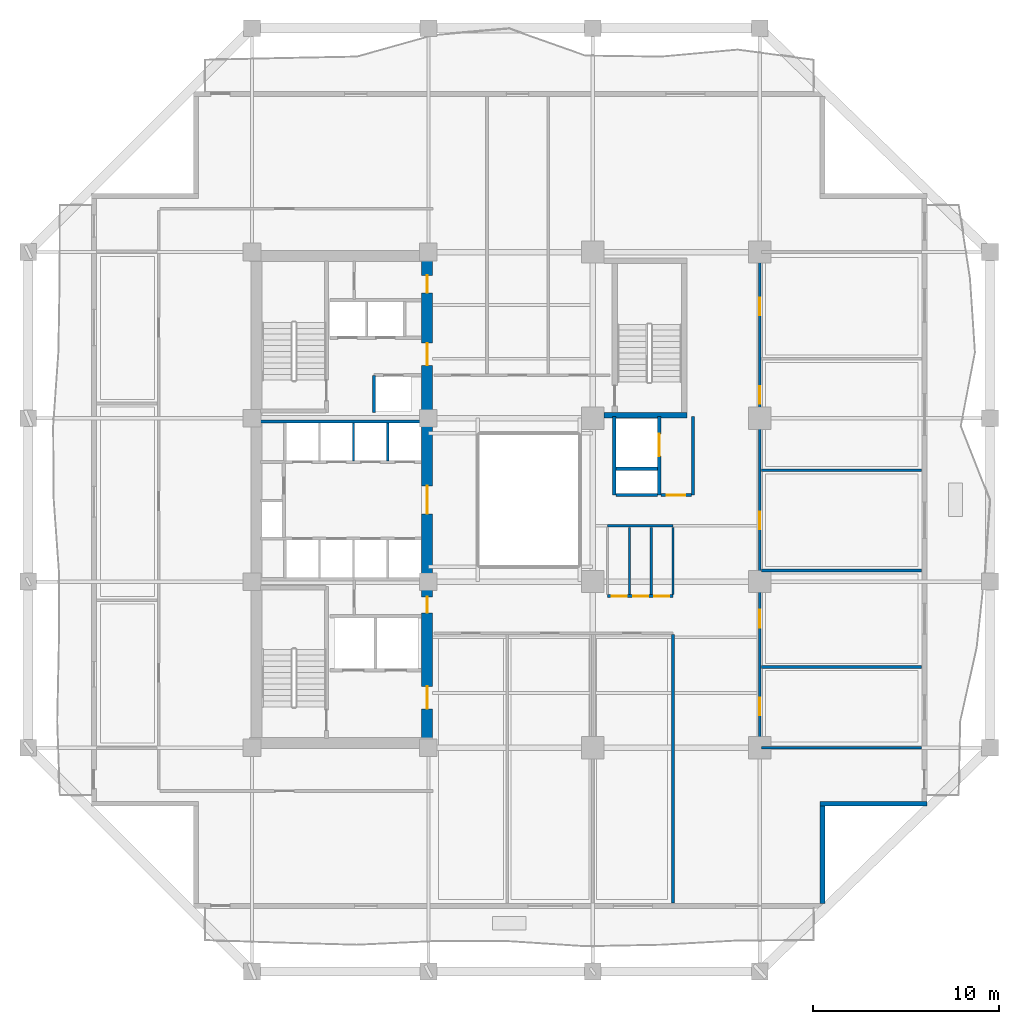
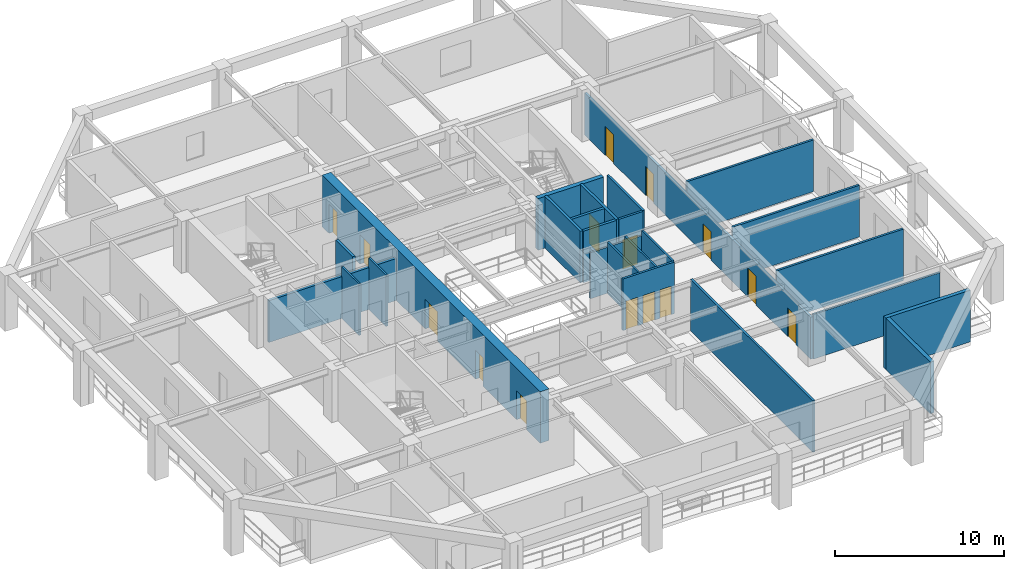
# One storey, part 4 of 13: 25 walls, 15 doors, 15 openings.
"""IFC4 building model written with IfcOpenShell, lengths in metres."""

from ifc_helpers import new_model, si_unit, direction, frame, frame_2d, origin, place, context, subcontext, project, spatial, rectangle, extrude, material, layer, layer_set, type_object, element, fill, save


model = new_model("IFC4")

# Units and contexts
model_context = context("Model", 3, precision=1e-05, world=origin(), true_north=direction((0.0, 1.0)))
body_context = subcontext(model_context, "Body", "Model", "MODEL_VIEW")
ifc_project = project(units=[si_unit("LENGTHUNIT", "METRE"), si_unit("AREAUNIT", "SQUARE_METRE"), si_unit("VOLUMEUNIT", "CUBIC_METRE"), si_unit("PLANEANGLEUNIT", "RADIAN"), si_unit("MASSUNIT", "GRAM", prefix="KILO")], contexts=[model_context])

# Site, building, storey
site_placement = place(None, origin())
site = spatial("IfcSite", under=ifc_project, at=site_placement, CompositionType="ELEMENT")
building_placement = place(site_placement, origin())
building = spatial("IfcBuilding", under=site, at=building_placement, Name="Kundavana Baori Tower", CompositionType="ELEMENT")
storey_placement = place(building_placement, frame((0.0, 0.0, 50.0)))
storey = spatial("IfcBuildingStorey", under=building, at=storey_placement, Name="L11", CompositionType="ELEMENT", Elevation=50.0)

# Wall, openings, doors
ifc_material_1 = material(Name="Concrete C60/75", Category="concrete")
ifc_layer_1 = layer(ifc_material_1, 0.60009765625, Name="WL-CORE-600")
ifc_layer_set_1 = layer_set([ifc_layer_1], Name="Concrete C60/75")
wall_type_1 = type_object("IfcWallType", Name="WL-CORE-600", PredefinedType="SHEAR", material=ifc_layer_set_1)
wall_1_placement = place(storey_placement, frame((24.8798828125, 15.739990234375, 0.0), z_axis=(0.0, 0.0, 1.0), x_axis=(0.0, 1.0, 0.0)))
wall_1 = element("IfcWall", 1, at=wall_1_placement, inside=storey, type_object=wall_type_1, Name="L11 Offset Core East Shear Wall", PredefinedType="SHEAR", context=body_context, shape_type="SweptSolid", body=[
    extrude(rectangle(XDim=25.760009765625, YDim=0.60009765625, at=frame_2d((12.8798828125, 0.0))), origin(), (0.0, 0.0, 1.0), 3.719970703125),
])
opening_1_placement = place(wall_1_placement, frame((1.610107421875, 0.0, 0.0)))
opening_1 = element("IfcOpeningElement", 2, at=opening_1_placement, cuts=wall_1, Name="Opening FD-120", PredefinedType="OPENING", context=body_context, shape_type="SweptSolid", body=[
    extrude(rectangle(XDim=1.199951171875, YDim=2.10009765625, at=frame_2d((0.60009765625, 1.050048828125))), frame((0.0, 0.31005859375, 0.0), z_axis=(0.0, -1.0, 0.0), x_axis=(1.0, 0.0, 0.0)), (0.0, 0.0, 1.0), 0.6201171875),
])
opening_2_placement = place(wall_1_placement, frame((6.780029296875, 0.0, 0.0)))
opening_2 = element("IfcOpeningElement", 3, at=opening_2_placement, cuts=wall_1, Name="Opening FD-085", PredefinedType="OPENING", context=body_context, shape_type="SweptSolid", body=[
    extrude(rectangle(XDim=0.85009765625, YDim=2.06005859375, at=frame_2d((0.425048828125, 1.030029296875))), frame((0.0, 0.31005859375, 0.0), z_axis=(0.0, -1.0, 0.0), x_axis=(1.0, 0.0, 0.0)), (0.0, 0.0, 1.0), 0.6201171875),
])
opening_3_placement = place(wall_1_placement, frame((12.110107421875, 0.0, 0.0)))
opening_3 = element("IfcOpeningElement", 4, at=opening_3_placement, cuts=wall_1, Name="Opening FD-150", PredefinedType="OPENING", context=body_context, shape_type="SweptSolid", body=[
    extrude(rectangle(XDim=1.5, YDim=2.1201171875, at=frame_2d((0.75, 1.06005859375))), frame((0.0, 0.31005859375, 0.0), z_axis=(0.0, -1.0, 0.0), x_axis=(1.0, 0.0, 0.0)), (0.0, 0.0, 1.0), 0.6201171875),
])
opening_4_placement = place(wall_1_placement, frame((20.110107421875, 0.0, 0.0)))
opening_4 = element("IfcOpeningElement", 5, at=opening_4_placement, cuts=wall_1, Name="Opening FD-122", PredefinedType="OPENING", context=body_context, shape_type="SweptSolid", body=[
    extrude(rectangle(XDim=1.199951171875, YDim=2.1201171875, at=frame_2d((0.60009765625, 1.06005859375))), frame((0.0, 0.31005859375, 0.0), z_axis=(0.0, -1.0, 0.0), x_axis=(1.0, 0.0, 0.0)), (0.0, 0.0, 1.0), 0.6201171875),
])
opening_5_placement = place(wall_1_placement, frame((24.010009765625, 0.0, 0.0)))
opening_5 = element("IfcOpeningElement", 6, at=opening_5_placement, cuts=wall_1, Name="Opening FD-095", PredefinedType="OPENING", context=body_context, shape_type="SweptSolid", body=[
    extrude(rectangle(XDim=0.949951171875, YDim=2.10009765625, at=frame_2d((0.47509765625, 1.050048828125))), frame((0.0, 0.31005859375, 0.0), z_axis=(0.0, -1.0, 0.0), x_axis=(1.0, 0.0, 0.0)), (0.0, 0.0, 1.0), 0.6201171875),
])
ifc_material_2 = material(Name="Galvanised Steel Fire-Rated Door Leaf", Category="steel")
door_type_1 = type_object("IfcDoorType", Name="DR-FD120-1200", OperationType="NOTDEFINED", PredefinedType="DOOR", material=ifc_material_2)
door_1_placement = place(opening_1_placement, frame((1.199951171875, 0.0, 0.0), z_axis=(0.0, 0.0, 1.0), x_axis=(-1.0, 0.0, 0.0)))
door_1 = element("IfcDoor", 7, at=door_1_placement, inside=storey, type_object=door_type_1, Name="DR-L11-FFLOB-E", OperationType="SINGLE_SWING_RIGHT", OverallHeight=2.10009765625, OverallWidth=1.199951171875, PredefinedType="DOOR", context=body_context, shape_type="SweptSolid", body=[
    extrude(rectangle(XDim=1.199951171875, YDim=2.10009765625, at=frame_2d((0.60009765625, 1.050048828125))), frame((0.0, 0.02490234375, 0.0), z_axis=(0.0, -1.0, 0.0), x_axis=(1.0, 0.0, 0.0)), (0.0, 0.0, 1.0), 0.050048828125),
])
fill(opening_1, door_1)
ifc_material_3 = material(Name="Galvanised Steel Fire-Rated Door Leaf", Category="steel")
door_type_2 = type_object("IfcDoorType", Name="DR-FD60-1200", OperationType="NOTDEFINED", PredefinedType="DOOR", material=ifc_material_3)
door_2_placement = place(opening_4_placement, frame((1.199951171875, 0.0, 0.0), z_axis=(0.0, 0.0, 1.0), x_axis=(-1.0, 0.0, 0.0)))
door_2 = element("IfcDoor", 8, at=door_2_placement, inside=storey, type_object=door_type_2, Name="DR-L11-HRLOB-E", OperationType="SINGLE_SWING_RIGHT", OverallHeight=2.1201171875, OverallWidth=1.199951171875, PredefinedType="DOOR", context=body_context, shape_type="SweptSolid", body=[
    extrude(rectangle(XDim=1.199951171875, YDim=2.1201171875, at=frame_2d((0.60009765625, 1.06005859375))), frame((0.0, 0.02490234375, 0.0), z_axis=(0.0, -1.0, 0.0), x_axis=(1.0, 0.0, 0.0)), (0.0, 0.0, 1.0), 0.050048828125),
])
fill(opening_4, door_2)
ifc_material_4 = material(Name="Galvanised Steel Fire-Rated Door Leaf", Category="steel")
door_type_3 = type_object("IfcDoorType", Name="DR-FD60-1500", OperationType="NOTDEFINED", PredefinedType="DOOR", material=ifc_material_4)
door_3_placement = place(opening_3_placement, frame((1.5, 0.0, 0.0), z_axis=(0.0, 0.0, 1.0), x_axis=(-1.0, 0.0, 0.0)))
door_3 = element("IfcDoor", 9, at=door_3_placement, inside=storey, type_object=door_type_3, Name="DR-L11-LIFTHALL-E", OperationType="SINGLE_SWING_LEFT", OverallHeight=2.1201171875, OverallWidth=1.5, PredefinedType="DOOR", context=body_context, shape_type="SweptSolid", body=[
    extrude(rectangle(XDim=1.5, YDim=2.1201171875, at=frame_2d((0.75, 1.06005859375))), frame((0.0, 0.02490234375, 0.0), z_axis=(0.0, -1.0, 0.0), x_axis=(1.0, 0.0, 0.0)), (0.0, 0.0, 1.0), 0.050048828125),
])
fill(opening_3, door_3)
ifc_material_5 = material(Name="Galvanised Steel Fire-Rated Door Leaf", Category="steel")
door_type_4 = type_object("IfcDoorType", Name="DR-FD60-850", OperationType="NOTDEFINED", PredefinedType="DOOR", material=ifc_material_5)
door_4_placement = place(opening_2_placement, frame((0.85009765625, 0.0, 0.0), z_axis=(0.0, 0.0, 1.0), x_axis=(-1.0, 0.0, 0.0)))
door_4 = element("IfcDoor", 10, at=door_4_placement, inside=storey, type_object=door_type_4, Name="DR-L11-CSMK2", OperationType="SINGLE_SWING_LEFT", OverallHeight=2.06005859375, OverallWidth=0.85009765625, PredefinedType="DOOR", context=body_context, shape_type="SweptSolid", body=[
    extrude(rectangle(XDim=0.85009765625, YDim=2.06005859375, at=frame_2d((0.425048828125, 1.030029296875))), frame((0.0, 0.02490234375, 0.0), z_axis=(0.0, -1.0, 0.0), x_axis=(1.0, 0.0, 0.0)), (0.0, 0.0, 1.0), 0.050048828125),
])
fill(opening_2, door_4)
ifc_material_6 = material(Name="Engineered Teak Fire-Rated Timber Door Leaf", Category="wood")
door_type_5 = type_object("IfcDoorType", Name="DR-FD60-950", OperationType="NOTDEFINED", PredefinedType="DOOR", material=ifc_material_6)
door_5_placement = place(opening_5_placement, frame((0.949951171875, 0.0, 0.0), z_axis=(0.0, 0.0, 1.0), x_axis=(-1.0, 0.0, 0.0)))
door_5 = element("IfcDoor", 11, at=door_5_placement, inside=storey, type_object=door_type_5, Name="DR-L11-CSRV2", OperationType="SINGLE_SWING_LEFT", OverallHeight=2.10009765625, OverallWidth=0.949951171875, PredefinedType="DOOR", context=body_context, shape_type="SweptSolid", body=[
    extrude(rectangle(XDim=0.949951171875, YDim=2.10009765625, at=frame_2d((0.47509765625, 1.050048828125))), frame((0.0, 0.02490234375, 0.0), z_axis=(0.0, -1.0, 0.0), x_axis=(1.0, 0.0, 0.0)), (0.0, 0.0, 1.0), 0.050048828125),
])
fill(opening_5, door_5)

# Walls
ifc_material_7 = material(Name="Kiln-Fired Terracotta Brick-Slip Masonry on Concrete C40/50", Category="masonry")
ifc_layer_2 = layer(ifc_material_7, 0.260009765625, Name="WL-EXT-BRK-260")
ifc_layer_set_2 = layer_set([ifc_layer_2], Name="Kiln-Fired Terracotta Brick-Slip Masonry on Concrete C40/50")
wall_type_2 = type_object("IfcWallType", Name="WL-EXT-BRK-260", PredefinedType="SOLIDWALL", material=ifc_layer_set_2)
wall_2_placement = place(storey_placement, frame((46.169921875, 6.860107421875, 0.0), z_axis=(0.0, 0.0, 1.0), x_axis=(0.0, 1.0, 0.0)))
element("IfcWall", 12, at=wall_2_placement, inside=storey, type_object=wall_type_2, Name="L11 Exterior Insulated Facade Wall 02", PredefinedType="SOLIDWALL", context=body_context, shape_type="SweptSolid", body=[
    extrude(rectangle(XDim=5.239990234375, YDim=0.260009765625, at=frame_2d((2.6201171875, 0.0))), origin(), (0.0, 0.0, 1.0), 3.719970703125),
])
wall_3_placement = place(storey_placement, frame((46.0400390625, 12.22998046875, 0.0), z_axis=(0.0, 0.0, 1.0), x_axis=(1.0, 0.0, 0.0)))
element("IfcWall", 13, at=wall_3_placement, inside=storey, type_object=wall_type_2, Name="L11 Exterior Insulated Facade Wall 03", PredefinedType="SOLIDWALL", context=body_context, shape_type="SweptSolid", body=[
    extrude(rectangle(XDim=5.760009765625, YDim=0.260009765625, at=frame_2d((2.8798828125, 0.0))), origin(), (0.0, 0.0, 1.0), 3.719970703125),
])
ifc_material_8 = material(Name="Acoustic Gypsum Plasterboard on Galvanised Steel Studs", Category="steel")
ifc_layer_3 = layer(ifc_material_8, 0.1201171875, Name="WL-PART-120")
ifc_layer_set_3 = layer_set([ifc_layer_3], Name="Acoustic Gypsum Plasterboard on Galvanised Steel Studs")
wall_type_3 = type_object("IfcWallType", Name="WL-PART-120", PredefinedType="PARTITIONING", material=ifc_layer_set_3)
for number, where, z_axis, x_axis, name in (
    (14, (20.919921875, 30.699951171875, 0.0), (0.0, 0.0, 1.0), (0.0, 1.0, 0.0), "WL-L11-LPMID-D2"),
    (15, (22.760009765625, 30.699951171875, 0.0), (0.0, 0.0, 1.0), (0.0, 1.0, 0.0), "WL-L11-LPMID-D3"),
):
    element("IfcWall", number, at=place(storey_placement, frame(where, z_axis=z_axis, x_axis=x_axis)), inside=storey, type_object=wall_type_3, Name=name, PredefinedType="PARTITIONING", context=body_context, shape_type="SweptSolid", body=[
        extrude(rectangle(XDim=2.050048828125, YDim=0.1201171875, at=frame_2d((1.02490234375, 0.0))), origin(), (0.0, 0.0, 1.0), 3.719970703125),
    ])
ifc_material_9 = material(Name="Fire-Rated Gypsum Drywall on Galvanised Steel Studs", Category="steel")
ifc_layer_4 = layer(ifc_material_9, 0.14990234375, Name="WL-PART-150")
ifc_layer_set_4 = layer_set([ifc_layer_4], Name="Fire-Rated Gypsum Drywall on Galvanised Steel Studs")
wall_type_4 = type_object("IfcWallType", Name="WL-PART-150", PredefinedType="PARTITIONING", material=ifc_layer_set_4)
wall_4_placement = place(storey_placement, frame((39.199951171875, 28.860107421875, 0.0), z_axis=(0.0, 0.0, 1.0), x_axis=(0.0, 1.0, 0.0)))
element("IfcWall", 16, at=wall_4_placement, inside=storey, type_object=wall_type_4, Name="WL-L11-SVLOB-E", PredefinedType="PARTITIONING", context=body_context, shape_type="SweptSolid", body=[
    extrude(rectangle(XDim=4.219970703125, YDim=0.14990234375, at=frame_2d((2.10986328125, 0.0))), origin(), (0.0, 0.0, 1.0), 3.719970703125),
])

# Wall, opening, door
wall_5_placement = place(storey_placement, frame((37.47998046875, 28.860107421875, 0.0), z_axis=(0.0, 0.0, 1.0), x_axis=(1.0, 0.0, 0.0)))
wall_5 = element("IfcWall", 17, at=wall_5_placement, inside=storey, type_object=wall_type_4, Name="WL-L11-SVLOB-S", PredefinedType="PARTITIONING", context=body_context, shape_type="SweptSolid", body=[
    extrude(rectangle(XDim=1.64013671875, YDim=0.14990234375, at=frame_2d((0.820068359375, 0.0))), origin(), (0.0, 0.0, 1.0), 3.719970703125),
])
opening_6_placement = place(wall_5_placement, frame((0.300048828125, 0.0, 0.0)))
opening_6 = element("IfcOpeningElement", 18, at=opening_6_placement, cuts=wall_5, Name="Opening FD-100", PredefinedType="OPENING", context=body_context, shape_type="SweptSolid", body=[
    extrude(rectangle(XDim=1.0, YDim=2.10009765625, at=frame_2d((0.5, 1.050048828125))), frame((0.0, 0.0849609375, 0.0), z_axis=(0.0, -1.0, 0.0), x_axis=(1.0, 0.0, 0.0)), (0.0, 0.0, 1.0), 0.169921875),
])
ifc_material_10 = material(Name="Engineered Teak Fire-Rated Timber Door Leaf", Category="wood")
door_type_6 = type_object("IfcDoorType", Name="DR-FD60-1000", OperationType="NOTDEFINED", PredefinedType="DOOR", material=ifc_material_10)
door_6_placement = place(opening_6_placement, origin())
door_6 = element("IfcDoor", 19, at=door_6_placement, inside=storey, type_object=door_type_6, Name="DR-L11-SVLOB-OUT", OperationType="SINGLE_SWING_LEFT", OverallHeight=2.10009765625, OverallWidth=1.0, PredefinedType="DOOR", context=body_context, shape_type="SweptSolid", body=[
    extrude(rectangle(XDim=1.0, YDim=2.10009765625, at=frame_2d((0.5, 1.050048828125))), frame((0.0, 0.02490234375, 0.0), z_axis=(0.0, -1.0, 0.0), x_axis=(1.0, 0.0, 0.0)), (0.0, 0.0, 1.0), 0.050048828125),
])
fill(opening_6, door_6)

# Wall
wall_6_placement = place(storey_placement, frame((38.1201171875, 6.8798828125, 0.0), z_axis=(0.0, 0.0, 1.0), x_axis=(0.0, 1.0, 0.0)))
element("IfcWall", 20, at=wall_6_placement, inside=storey, type_object=wall_type_4, Name="WL-L11-OFSEND", PredefinedType="PARTITIONING", context=body_context, shape_type="SweptSolid", body=[
    extrude(rectangle(XDim=14.460205078125, YDim=0.14990234375, at=frame_2d((7.22998046875, 0.0))), origin(), (0.0, 0.0, 1.0), 3.719970703125),
])

# Wall, openings, doors
wall_7_placement = place(storey_placement, frame((34.60009765625, 23.419921875, 0.0), z_axis=(0.0, 0.0, 1.0), x_axis=(1.0, 0.0, 0.0)))
wall_7 = element("IfcWall", 21, at=wall_7_placement, inside=storey, type_object=wall_type_4, Name="WL-L11-OFST", PredefinedType="PARTITIONING", context=body_context, shape_type="SweptSolid", body=[
    extrude(rectangle(XDim=3.52001953125, YDim=0.14990234375, at=frame_2d((1.760009765625, 0.0))), origin(), (0.0, 0.0, 1.0), 3.719970703125),
])
opening_7_placement = place(wall_7_placement, frame((0.219970703125, 0.0, 0.0)))
opening_7 = element("IfcOpeningElement", 22, at=opening_7_placement, cuts=wall_7, Name="Opening WD-080", PredefinedType="OPENING", context=body_context, shape_type="SweptSolid", body=[
    extrude(rectangle(XDim=0.800048828125, YDim=2.050048828125, at=frame_2d((0.39990234375, 1.02490234375))), frame((0.0, 0.0849609375, 0.0), z_axis=(0.0, -1.0, 0.0), x_axis=(1.0, 0.0, 0.0)), (0.0, 0.0, 1.0), 0.169921875),
])
opening_8_placement = place(wall_7_placement, frame((1.3798828125, 0.0, 0.0)))
opening_8 = element("IfcOpeningElement", 23, at=opening_8_placement, cuts=wall_7, Name="Opening WD-080", PredefinedType="OPENING", context=body_context, shape_type="SweptSolid", body=[
    extrude(rectangle(XDim=0.800048828125, YDim=2.050048828125, at=frame_2d((0.39990234375, 1.02490234375))), frame((0.0, 0.0849609375, 0.0), z_axis=(0.0, -1.0, 0.0), x_axis=(1.0, 0.0, 0.0)), (0.0, 0.0, 1.0), 0.169921875),
])
opening_9_placement = place(wall_7_placement, frame((2.52001953125, 0.0, 0.0)))
opening_9 = element("IfcOpeningElement", 24, at=opening_9_placement, cuts=wall_7, Name="Opening WD-080", PredefinedType="OPENING", context=body_context, shape_type="SweptSolid", body=[
    extrude(rectangle(XDim=0.800048828125, YDim=2.050048828125, at=frame_2d((0.39990234375, 1.02490234375))), frame((0.0, 0.0849609375, 0.0), z_axis=(0.0, -1.0, 0.0), x_axis=(1.0, 0.0, 0.0)), (0.0, 0.0, 1.0), 0.169921875),
])
ifc_material_11 = material(Name="Engineered Teak Solid-Core Timber Veneer", Category="wood")
door_type_7 = type_object("IfcDoorType", Name="DR-WET-800", OperationType="NOTDEFINED", PredefinedType="DOOR", material=ifc_material_11)
door_7_placement = place(opening_7_placement, origin())
door_7 = element("IfcDoor", 25, at=door_7_placement, inside=storey, type_object=door_type_7, Name="DR-L11-WCM", OperationType="SINGLE_SWING_LEFT", OverallHeight=2.050048828125, OverallWidth=0.800048828125, PredefinedType="DOOR", context=body_context, shape_type="SweptSolid", body=[
    extrude(rectangle(XDim=0.800048828125, YDim=2.050048828125, at=frame_2d((0.39990234375, 1.02490234375))), frame((0.0, 0.02490234375, 0.0), z_axis=(0.0, -1.0, 0.0), x_axis=(1.0, 0.0, 0.0)), (0.0, 0.0, 1.0), 0.050048828125),
])
fill(opening_7, door_7)
door_8_placement = place(opening_8_placement, origin())
door_8 = element("IfcDoor", 26, at=door_8_placement, inside=storey, type_object=door_type_7, Name="DR-L11-WCA", OperationType="SINGLE_SWING_RIGHT", OverallHeight=2.050048828125, OverallWidth=0.800048828125, PredefinedType="DOOR", context=body_context, shape_type="SweptSolid", body=[
    extrude(rectangle(XDim=0.800048828125, YDim=2.050048828125, at=frame_2d((0.39990234375, 1.02490234375))), frame((0.0, 0.02490234375, 0.0), z_axis=(0.0, -1.0, 0.0), x_axis=(1.0, 0.0, 0.0)), (0.0, 0.0, 1.0), 0.050048828125),
])
fill(opening_8, door_8)
door_9_placement = place(opening_9_placement, origin())
door_9 = element("IfcDoor", 27, at=door_9_placement, inside=storey, type_object=door_type_7, Name="DR-L11-PNT", OperationType="SINGLE_SWING_LEFT", OverallHeight=2.050048828125, OverallWidth=0.800048828125, PredefinedType="DOOR", context=body_context, shape_type="SweptSolid", body=[
    extrude(rectangle(XDim=0.800048828125, YDim=2.050048828125, at=frame_2d((0.39990234375, 1.02490234375))), frame((0.0, 0.02490234375, 0.0), z_axis=(0.0, -1.0, 0.0), x_axis=(1.0, 0.0, 0.0)), (0.0, 0.0, 1.0), 0.050048828125),
])
fill(opening_9, door_9)

wall_8_placement = place(storey_placement, frame((42.800048828125, 15.25, 0.0), z_axis=(0.0, 0.0, 1.0), x_axis=(0.0, 1.0, 0.0)))
wall_8 = element("IfcWall", 28, at=wall_8_placement, inside=storey, type_object=wall_type_4, Name="WL-L11-OFE", PredefinedType="PARTITIONING", context=body_context, shape_type="SweptSolid", body=[
    extrude(rectangle(XDim=26.699951171875, YDim=0.14990234375, at=frame_2d((13.35009765625, 0.0))), origin(), (0.0, 0.0, 1.0), 3.02001953125),
])
opening_10_placement = place(wall_8_placement, frame((1.75, 0.0, 0.0)))
opening_10 = element("IfcOpeningElement", 29, at=opening_10_placement, cuts=wall_8, Name="Opening ID-095", PredefinedType="OPENING", context=body_context, shape_type="SweptSolid", body=[
    extrude(rectangle(XDim=0.949951171875, YDim=2.080078125, at=frame_2d((0.47509765625, 1.0400390625))), frame((0.0, 0.0849609375, 0.0), z_axis=(0.0, -1.0, 0.0), x_axis=(1.0, 0.0, 0.0)), (0.0, 0.0, 1.0), 0.169921875),
])
opening_11_placement = place(wall_8_placement, frame((6.47509765625, 0.0, 0.0)))
opening_11 = element("IfcOpeningElement", 30, at=opening_11_placement, cuts=wall_8, Name="Opening ID-095", PredefinedType="OPENING", context=body_context, shape_type="SweptSolid", body=[
    extrude(rectangle(XDim=0.949951171875, YDim=2.080078125, at=frame_2d((0.47509765625, 1.0400390625))), frame((0.0, 0.0849609375, 0.0), z_axis=(0.0, -1.0, 0.0), x_axis=(1.0, 0.0, 0.0)), (0.0, 0.0, 1.0), 0.169921875),
])
opening_12_placement = place(wall_8_placement, frame((11.77490234375, 0.0, 0.0)))
opening_12 = element("IfcOpeningElement", 31, at=opening_12_placement, cuts=wall_8, Name="Opening ID-095", PredefinedType="OPENING", context=body_context, shape_type="SweptSolid", body=[
    extrude(rectangle(XDim=0.949951171875, YDim=2.080078125, at=frame_2d((0.47509765625, 1.0400390625))), frame((0.0, 0.0849609375, 0.0), z_axis=(0.0, -1.0, 0.0), x_axis=(1.0, 0.0, 0.0)), (0.0, 0.0, 1.0), 0.169921875),
])
opening_13_placement = place(wall_8_placement, frame((18.52490234375, 0.0, 0.0)))
opening_13 = element("IfcOpeningElement", 32, at=opening_13_placement, cuts=wall_8, Name="Opening ID-095", PredefinedType="OPENING", context=body_context, shape_type="SweptSolid", body=[
    extrude(rectangle(XDim=0.949951171875, YDim=2.080078125, at=frame_2d((0.47509765625, 1.0400390625))), frame((0.0, 0.0849609375, 0.0), z_axis=(0.0, -1.0, 0.0), x_axis=(1.0, 0.0, 0.0)), (0.0, 0.0, 1.0), 0.169921875),
])
opening_14_placement = place(wall_8_placement, frame((23.300048828125, 0.0, 0.0)))
opening_14 = element("IfcOpeningElement", 33, at=opening_14_placement, cuts=wall_8, Name="Opening ID-095", PredefinedType="OPENING", context=body_context, shape_type="SweptSolid", body=[
    extrude(rectangle(XDim=0.949951171875, YDim=2.080078125, at=frame_2d((0.47509765625, 1.0400390625))), frame((0.0, 0.0849609375, 0.0), z_axis=(0.0, -1.0, 0.0), x_axis=(1.0, 0.0, 0.0)), (0.0, 0.0, 1.0), 0.169921875),
])
ifc_material_12 = material(Name="Engineered Teak Solid-Core Timber Veneer", Category="wood")
door_type_8 = type_object("IfcDoorType", Name="DR-INT-950", OperationType="NOTDEFINED", PredefinedType="DOOR", material=ifc_material_12)
door_10_placement = place(opening_10_placement, origin())
door_10 = element("IfcDoor", 34, at=door_10_placement, inside=storey, type_object=door_type_8, Name="DR-L11-OFE1", OperationType="SINGLE_SWING_RIGHT", OverallHeight=2.080078125, OverallWidth=0.949951171875, PredefinedType="DOOR", context=body_context, shape_type="SweptSolid", body=[
    extrude(rectangle(XDim=0.949951171875, YDim=2.080078125, at=frame_2d((0.47509765625, 1.0400390625))), frame((0.0, 0.02490234375, 0.0), z_axis=(0.0, -1.0, 0.0), x_axis=(1.0, 0.0, 0.0)), (0.0, 0.0, 1.0), 0.050048828125),
])
fill(opening_10, door_10)
door_11_placement = place(opening_11_placement, origin())
door_11 = element("IfcDoor", 35, at=door_11_placement, inside=storey, type_object=door_type_8, Name="DR-L11-OFE2", OperationType="SINGLE_SWING_LEFT", OverallHeight=2.080078125, OverallWidth=0.949951171875, PredefinedType="DOOR", context=body_context, shape_type="SweptSolid", body=[
    extrude(rectangle(XDim=0.949951171875, YDim=2.080078125, at=frame_2d((0.47509765625, 1.0400390625))), frame((0.0, 0.02490234375, 0.0), z_axis=(0.0, -1.0, 0.0), x_axis=(1.0, 0.0, 0.0)), (0.0, 0.0, 1.0), 0.050048828125),
])
fill(opening_11, door_11)
door_12_placement = place(opening_12_placement, origin())
door_12 = element("IfcDoor", 36, at=door_12_placement, inside=storey, type_object=door_type_8, Name="DR-L11-OFE3", OperationType="SINGLE_SWING_RIGHT", OverallHeight=2.080078125, OverallWidth=0.949951171875, PredefinedType="DOOR", context=body_context, shape_type="SweptSolid", body=[
    extrude(rectangle(XDim=0.949951171875, YDim=2.080078125, at=frame_2d((0.47509765625, 1.0400390625))), frame((0.0, 0.02490234375, 0.0), z_axis=(0.0, -1.0, 0.0), x_axis=(1.0, 0.0, 0.0)), (0.0, 0.0, 1.0), 0.050048828125),
])
fill(opening_12, door_12)
door_13_placement = place(opening_13_placement, origin())
door_13 = element("IfcDoor", 37, at=door_13_placement, inside=storey, type_object=door_type_8, Name="DR-L11-OFE4", OperationType="SINGLE_SWING_LEFT", OverallHeight=2.080078125, OverallWidth=0.949951171875, PredefinedType="DOOR", context=body_context, shape_type="SweptSolid", body=[
    extrude(rectangle(XDim=0.949951171875, YDim=2.080078125, at=frame_2d((0.47509765625, 1.0400390625))), frame((0.0, 0.02490234375, 0.0), z_axis=(0.0, -1.0, 0.0), x_axis=(1.0, 0.0, 0.0)), (0.0, 0.0, 1.0), 0.050048828125),
])
fill(opening_13, door_13)
door_14_placement = place(opening_14_placement, origin())
door_14 = element("IfcDoor", 38, at=door_14_placement, inside=storey, type_object=door_type_8, Name="DR-L11-OFE5", OperationType="SINGLE_SWING_RIGHT", OverallHeight=2.080078125, OverallWidth=0.949951171875, PredefinedType="DOOR", context=body_context, shape_type="SweptSolid", body=[
    extrude(rectangle(XDim=0.949951171875, YDim=2.080078125, at=frame_2d((0.47509765625, 1.0400390625))), frame((0.0, 0.02490234375, 0.0), z_axis=(0.0, -1.0, 0.0), x_axis=(1.0, 0.0, 0.0)), (0.0, 0.0, 1.0), 0.050048828125),
])
fill(opening_14, door_14)

# Walls
wall_9_placement = place(storey_placement, frame((42.8798828125, 15.25, 0.0), z_axis=(0.0, 0.0, 1.0), x_axis=(1.0, 0.0, 0.0)))
element("IfcWall", 39, at=wall_9_placement, inside=storey, type_object=wall_type_4, Name="WL-L11-OFES", PredefinedType="PARTITIONING", context=body_context, shape_type="SweptSolid", body=[
    extrude(rectangle(XDim=8.64013671875, YDim=0.14990234375, at=frame_2d((4.320068359375, 0.0))), origin(), (0.0, 0.0, 1.0), 3.219970703125),
])
for number, where, z_axis, x_axis, name in (
    (40, (42.8798828125, 19.60009765625, 0.0), (0.0, 0.0, 1.0), (1.0, 0.0, 0.0), "WL-L11-ED1"),
    (41, (42.8798828125, 24.800048828125, 0.0), (0.0, 0.0, 1.0), (1.0, 0.0, 0.0), "WL-L11-ED2"),
    (42, (42.8798828125, 30.199951171875, 0.0), (0.0, 0.0, 1.0), (1.0, 0.0, 0.0), "WL-L11-ED3"),
):
    element("IfcWall", number, at=place(storey_placement, frame(where, z_axis=z_axis, x_axis=x_axis)), inside=storey, type_object=wall_type_4, Name=name, PredefinedType="PARTITIONING", context=body_context, shape_type="SweptSolid", body=[
        extrude(rectangle(XDim=8.64013671875, YDim=0.14990234375, at=frame_2d((4.320068359375, 0.0))), origin(), (0.0, 0.0, 1.0), 3.719970703125),
    ])
ifc_material_13 = material(Name="Autoclaved Aerated Concrete Blockwork Masonry", Category="masonry")
ifc_layer_5 = layer(ifc_material_13, 0.179931640625, Name="WL-SHAFT-180")
ifc_layer_set_5 = layer_set([ifc_layer_5], Name="Autoclaved Aerated Concrete Blockwork Masonry")
wall_type_5 = type_object("IfcWallType", Name="WL-SHAFT-180", PredefinedType="SOLIDWALL", material=ifc_layer_set_5)
wall_10_placement = place(storey_placement, frame((15.89990234375, 32.820068359375, 0.0), z_axis=(0.0, 0.0, 1.0), x_axis=(1.0, 0.0, 0.0)))
element("IfcWall", 43, at=wall_10_placement, inside=storey, type_object=wall_type_5, Name="WL-L11-LPMID-N", PredefinedType="SOLIDWALL", context=body_context, shape_type="SweptSolid", body=[
    extrude(rectangle(XDim=8.68017578125, YDim=0.179931640625, at=frame_2d((4.340087890625, 0.0))), origin(), (0.0, 0.0, 1.0), 3.02001953125),
])
wall_11_placement = place(storey_placement, frame((22.02001953125, 33.300048828125, 0.0), z_axis=(0.0, 0.0, 1.0), x_axis=(0.0, 1.0, 0.0)))
element("IfcWall", 44, at=wall_11_placement, inside=storey, type_object=wall_type_5, Name="WL-L11-LP11-W", PredefinedType="SOLIDWALL", context=body_context, shape_type="SweptSolid", body=[
    extrude(rectangle(XDim=2.010009765625, YDim=0.179931640625, at=frame_2d((1.0048828125, 0.0))), origin(), (0.0, 0.0, 1.0), 3.719970703125),
])
wall_12_placement = place(storey_placement, frame((34.9599609375, 28.860107421875, 0.0), z_axis=(0.0, 0.0, 1.0), x_axis=(0.0, 1.0, 0.0)))
element("IfcWall", 45, at=wall_12_placement, inside=storey, type_object=wall_type_5, Name="WL-L11-SVL-W", PredefinedType="SOLIDWALL", context=body_context, shape_type="SweptSolid", body=[
    extrude(rectangle(XDim=4.219970703125, YDim=0.179931640625, at=frame_2d((2.10986328125, 0.0))), origin(), (0.0, 0.0, 1.0), 3.719970703125),
])

# Wall, opening, door
wall_13_placement = place(storey_placement, frame((37.389892578125, 28.860107421875, 0.0), z_axis=(0.0, 0.0, 1.0), x_axis=(0.0, 1.0, 0.0)))
wall_13 = element("IfcWall", 46, at=wall_13_placement, inside=storey, type_object=wall_type_5, Name="WL-L11-SVL-E", PredefinedType="SOLIDWALL", context=body_context, shape_type="SweptSolid", body=[
    extrude(rectangle(XDim=4.219970703125, YDim=0.179931640625, at=frame_2d((2.10986328125, 0.0))), origin(), (0.0, 0.0, 1.0), 3.719970703125),
])
opening_15_placement = place(wall_13_placement, frame((2.10009765625, 0.0, 0.0)))
opening_15 = element("IfcOpeningElement", 47, at=opening_15_placement, cuts=wall_13, Name="Opening LD-120", PredefinedType="OPENING", context=body_context, shape_type="SweptSolid", body=[
    extrude(rectangle(XDim=1.199951171875, YDim=2.1201171875, at=frame_2d((0.60009765625, 1.06005859375))), frame((0.0, 0.10009765625, 0.0), z_axis=(0.0, -1.0, 0.0), x_axis=(1.0, 0.0, 0.0)), (0.0, 0.0, 1.0), 0.199951171875),
])
ifc_material_14 = material(Name="Galvanised Steel Fire-Rated Door Leaf", Category="steel")
door_type_9 = type_object("IfcDoorType", Name="DR-SLIDE-LD1200", OperationType="NOTDEFINED", PredefinedType="DOOR", material=ifc_material_14)
door_15_placement = place(opening_15_placement, frame((1.199951171875, 0.0, 0.0), z_axis=(0.0, 0.0, 1.0), x_axis=(-1.0, 0.0, 0.0)))
door_15 = element("IfcDoor", 48, at=door_15_placement, inside=storey, type_object=door_type_9, Name="DR-L11-LD-SVL1", OperationType="DOUBLE_DOOR_SLIDING", OverallHeight=2.1201171875, OverallWidth=1.199951171875, PredefinedType="DOOR", context=body_context, shape_type="SweptSolid", body=[
    extrude(rectangle(XDim=1.199951171875, YDim=2.1201171875, at=frame_2d((0.60009765625, 1.06005859375))), frame((0.0, 0.02490234375, 0.0), z_axis=(0.0, -1.0, 0.0), x_axis=(1.0, 0.0, 0.0)), (0.0, 0.0, 1.0), 0.050048828125),
])
fill(opening_15, door_15)

# Walls
for number, where, z_axis, x_axis, name in (
    (49, (35.050048828125, 28.860107421875, 0.0), (0.0, 0.0, 1.0), (1.0, 0.0, 0.0), "WL-L11-SVL-S"),
    (50, (35.050048828125, 30.27001953125, 0.0), (0.0, 0.0, 1.0), (1.0, 0.0, 0.0), "WL-L11-SVL-M"),
):
    element("IfcWall", number, at=place(storey_placement, frame(where, z_axis=z_axis, x_axis=x_axis)), inside=storey, type_object=wall_type_5, Name=name, PredefinedType="SOLIDWALL", context=body_context, shape_type="SweptSolid", body=[
        extrude(rectangle(XDim=2.25, YDim=0.179931640625, at=frame_2d((1.125, 0.0))), origin(), (0.0, 0.0, 1.0), 3.719970703125),
    ])
ifc_material_15 = material(Name="Concrete C50/60", Category="concrete")
ifc_layer_6 = layer(ifc_material_15, 0.300048828125, Name="WL-ST3-300")
ifc_layer_set_6 = layer_set([ifc_layer_6], Name="Concrete C50/60")
wall_type_6 = type_object("IfcWallType", Name="WL-ST3-300", PredefinedType="SHEAR", material=ifc_layer_set_6)
wall_14_placement = place(storey_placement, frame((34.39990234375, 33.159912109375, 0.0), z_axis=(0.0, 0.0, 1.0), x_axis=(1.0, 0.0, 0.0)))
element("IfcWall", 51, at=wall_14_placement, inside=storey, type_object=wall_type_6, Name="L11 Stair ST3 South Shear Wall", PredefinedType="SHEAR", context=body_context, shape_type="SweptSolid", body=[
    extrude(rectangle(XDim=4.47021484375, YDim=0.300048828125, at=frame_2d((2.235107421875, 0.0))), origin(), (0.0, 0.0, 1.0), 3.719970703125),
])
ifc_material_16 = material(Name="Autoclaved Aerated Concrete Blockwork Masonry", Category="masonry")
ifc_layer_7 = layer(ifc_material_16, 0.125, Name="WL-WET-120")
ifc_layer_set_7 = layer_set([ifc_layer_7], Name="Autoclaved Aerated Concrete Blockwork Masonry")
wall_type_7 = type_object("IfcWallType", Name="WL-WET-120", PredefinedType="PLUMBINGWALL", material=ifc_layer_set_7)
wall_15_placement = place(storey_placement, frame((34.60009765625, 27.199951171875, 0.0), z_axis=(0.0, 0.0, 1.0), x_axis=(1.0, 0.0, 0.0)))
element("IfcWall", 52, at=wall_15_placement, inside=storey, type_object=wall_type_7, Name="WL-L11-WCN", PredefinedType="PLUMBINGWALL", context=body_context, shape_type="SweptSolid", body=[
    extrude(rectangle(XDim=3.52001953125, YDim=0.125, at=frame_2d((1.760009765625, 0.0))), origin(), (0.0, 0.0, 1.0), 3.320068359375),
])
for number, where, z_axis, x_axis, name in (
    (53, (38.1201171875, 23.5, 0.0), (0.0, 0.0, 1.0), (0.0, 1.0, 0.0), "WL-L11-WCE"),
    (54, (35.780029296875, 23.5, 0.0), (0.0, 0.0, 1.0), (0.0, 1.0, 0.0), "WL-L11-WCD1"),
    (55, (36.9599609375, 23.5, 0.0), (0.0, 0.0, 1.0), (0.0, 1.0, 0.0), "WL-L11-WCD2"),
):
    element("IfcWall", number, at=place(storey_placement, frame(where, z_axis=z_axis, x_axis=x_axis)), inside=storey, type_object=wall_type_7, Name=name, PredefinedType="PLUMBINGWALL", context=body_context, shape_type="SweptSolid", body=[
        extrude(rectangle(XDim=3.6201171875, YDim=0.125, at=frame_2d((1.81005859375, 0.0))), origin(), (0.0, 0.0, 1.0), 3.719970703125),
    ])

save(model, "model.ifc")
